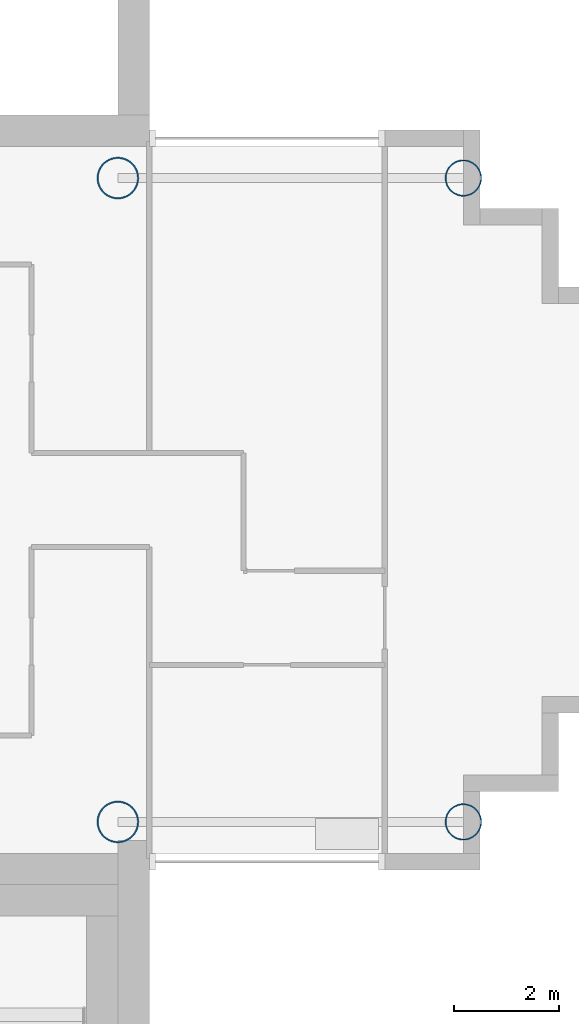
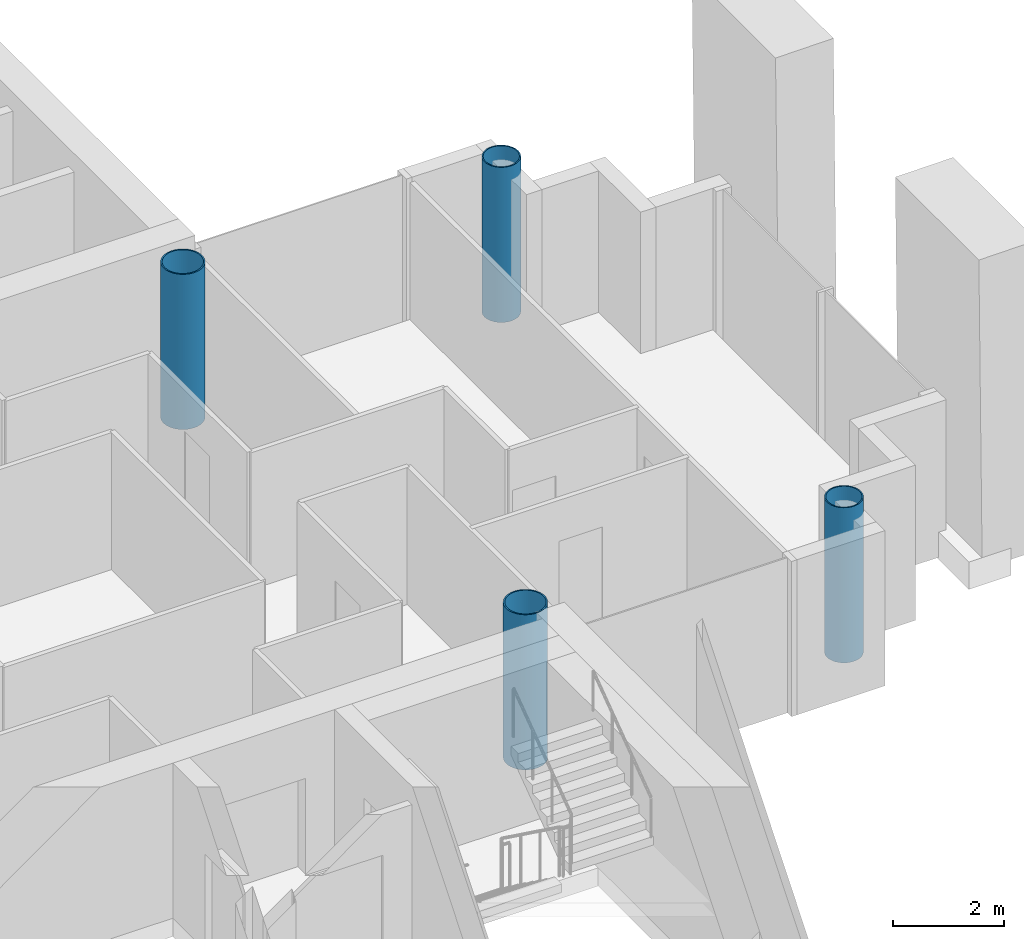
# One storey, part 2 of 18: 4 columns.
"""IFC4 building model written with IfcOpenShell, lengths in metres."""

from ifc_helpers import new_model, si_unit, direction, frame, origin, origin_2d, place, context, subcontext, project, spatial, hollow_circle, extrude, material, material_profile, profile_set, type_object, element, save


model = new_model("IFC4")

# Units and contexts
model_context = context("Model", 3, precision=1e-05, world=origin(), true_north=direction((0.0, 1.0)))
body_context = subcontext(model_context, "Body", "Model", "MODEL_VIEW")
ifc_project = project(units=[si_unit("LENGTHUNIT", "METRE"), si_unit("AREAUNIT", "SQUARE_METRE"), si_unit("VOLUMEUNIT", "CUBIC_METRE"), si_unit("PLANEANGLEUNIT", "RADIAN"), si_unit("MASSUNIT", "GRAM", prefix="KILO")], contexts=[model_context])

# Site, building, storey
site_placement = place(None, origin())
site = spatial("IfcSite", under=ifc_project, at=site_placement, CompositionType="ELEMENT")
building_placement = place(site_placement, origin())
building = spatial("IfcBuilding", under=site, at=building_placement, Name="Ipe Terrace Towers", CompositionType="ELEMENT")
storey_placement = place(building_placement, frame((0.0, 0.0, 202.800048828125)))
storey = spatial("IfcBuildingStorey", under=building, at=storey_placement, Name="L56", CompositionType="ELEMENT", Elevation=202.800048828125)

# Columns
ifc_material_1 = material(Name="Steel S355 tube with Concrete C60/75 fill", Category="concrete")
ifc_material_profile_1 = material_profile(ifc_material_1, hollow_circle(Radius=0.35009765625, WallThickness=0.02490234375, at=origin_2d()), Name="CHS-700x25")
ifc_profile_set_1 = profile_set([ifc_material_profile_1], Name="Steel S355 tube with Concrete C60/75 fill")
column_type_1 = type_object("IfcColumnType", Name="CH08 COLUMN CHS-700x25", PredefinedType="COLUMN", material=ifc_profile_set_1)
for number, where, z_axis, x_axis, name in (
    (1, (48.75, -6.14990234375, 0.0), (0.0, 0.0, 1.0), (1.0, 0.0, 0.0), "Column T2-C-D01"),
    (2, (48.75, 6.14990234375, 0.0), (0.0, 0.0, 1.0), (1.0, 0.0, 0.0), "Column T2-C-D02"),
):
    element("IfcColumn", number, at=place(storey_placement, frame(where, z_axis=z_axis, x_axis=x_axis)), inside=storey, type_object=column_type_1, Name=name, PredefinedType="COLUMN", context=body_context, shape_type="SweptSolid", body=[
        extrude(hollow_circle(Radius=0.35009765625, WallThickness=0.02490234375, at=origin_2d()), origin(), (0.0, 0.0, 1.0), 3.39990234375),
    ])
ifc_material_2 = material(Name="Steel S355 tube with Concrete C60/75 fill", Category="concrete")
ifc_material_profile_2 = material_profile(ifc_material_2, hollow_circle(Radius=0.39990234375, WallThickness=0.028076171875, at=origin_2d()), Name="CHS-800x28")
ifc_profile_set_2 = profile_set([ifc_material_profile_2], Name="Steel S355 tube with Concrete C60/75 fill")
column_type_2 = type_object("IfcColumnType", Name="CH09 COLUMN CHS-800x28", PredefinedType="COLUMN", material=ifc_profile_set_2)
for number, where, z_axis, x_axis, name in (
    (3, (42.14990234375, -6.14990234375, 0.0), (0.0, 0.0, 1.0), (1.0, 0.0, 0.0), "Column T2-C-E01"),
    (4, (42.14990234375, 6.14990234375, 0.0), (0.0, 0.0, 1.0), (1.0, 0.0, 0.0), "Column T2-C-E02"),
):
    element("IfcColumn", number, at=place(storey_placement, frame(where, z_axis=z_axis, x_axis=x_axis)), inside=storey, type_object=column_type_2, Name=name, PredefinedType="COLUMN", context=body_context, shape_type="SweptSolid", body=[
        extrude(hollow_circle(Radius=0.39990234375, WallThickness=0.028076171875, at=origin_2d()), origin(), (0.0, 0.0, 1.0), 3.39990234375),
    ])

save(model, "model.ifc")
